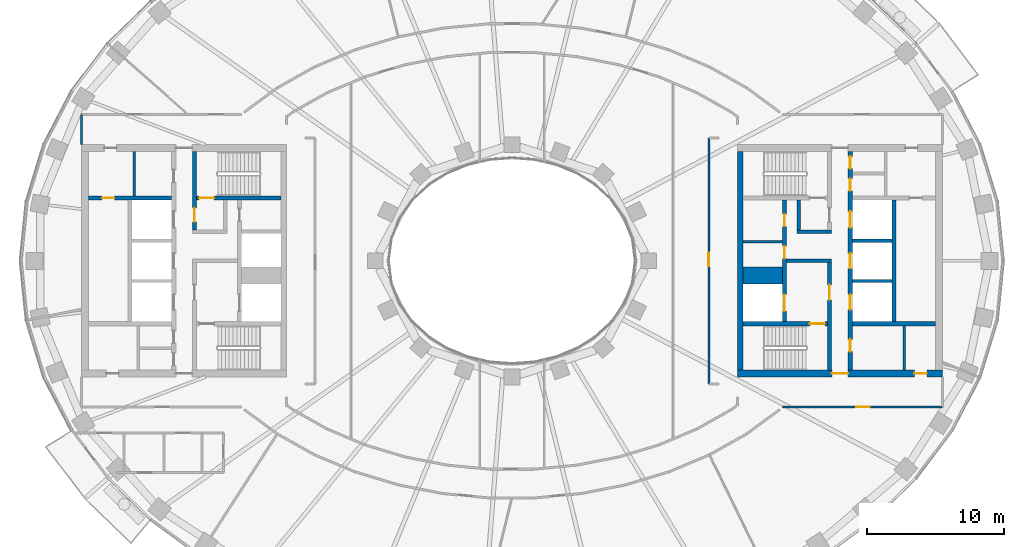
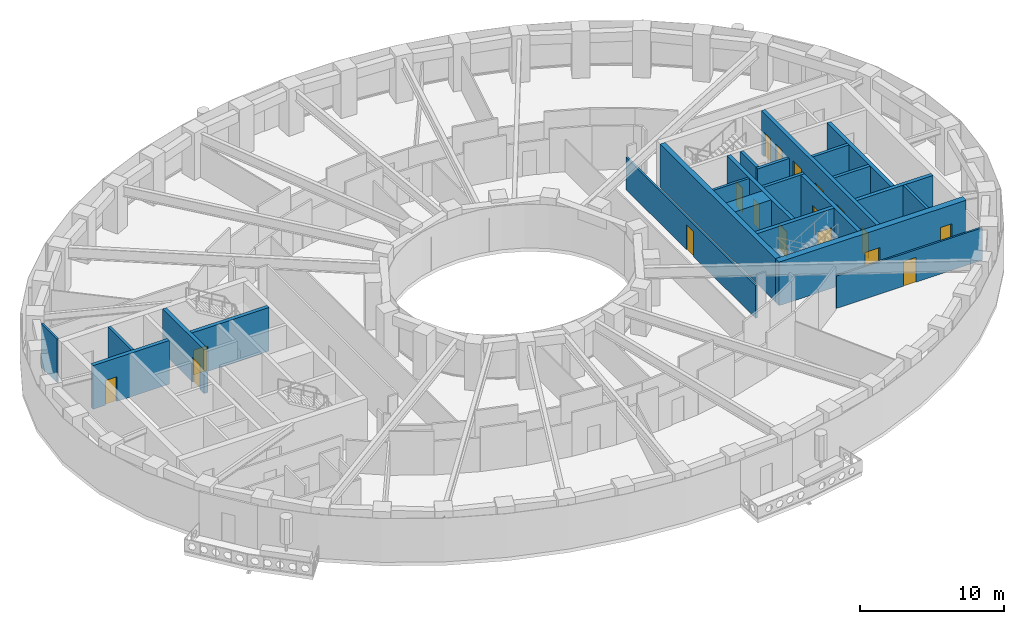
# One storey, part 5 of 16: 23 walls, 18 doors, 18 openings.
"""IFC4 building model written with IfcOpenShell, lengths in metres."""

from ifc_helpers import new_model, si_unit, direction, frame, frame_2d, origin, place, context, subcontext, project, spatial, rectangle, extrude, material, layer, layer_set, type_object, element, fill, save


model = new_model("IFC4")

# Units and contexts
model_context = context("Model", 3, precision=1e-05, world=origin(), true_north=direction((0.0, 1.0)))
body_context = subcontext(model_context, "Body", "Model", "MODEL_VIEW")
ifc_project = project(units=[si_unit("LENGTHUNIT", "METRE"), si_unit("AREAUNIT", "SQUARE_METRE"), si_unit("VOLUMEUNIT", "CUBIC_METRE"), si_unit("PLANEANGLEUNIT", "RADIAN"), si_unit("MASSUNIT", "GRAM", prefix="KILO")], contexts=[model_context])

# Site, building, storey
site_placement = place(None, origin())
site = spatial("IfcSite", under=ifc_project, at=site_placement, CompositionType="ELEMENT")
building_placement = place(site_placement, origin())
building = spatial("IfcBuilding", under=site, at=building_placement, Name="Noorbagh Ring Tower", CompositionType="ELEMENT")
storey_placement = place(building_placement, frame((0.0, 0.0, 132.0)))
storey = spatial("IfcBuildingStorey", under=building, at=storey_placement, Name="L30", CompositionType="ELEMENT", Elevation=132.0)

# Walls
ifc_material_1 = material(Name="Gypsum board on steel studs", Category="steel")
ifc_layer_1 = layer(ifc_material_1, 0.199951171875)
ifc_layer_set_1 = layer_set([ifc_layer_1], Name="Gypsum board on steel studs")
wall_type_1 = type_object("IfcWallType", Name="CORE-PARTITION-200", PredefinedType="PARTITIONING", material=ifc_layer_set_1)
wall_1_placement = place(storey_placement, frame((-27.64990234375, 4.75, 0.0), z_axis=(0.0, 0.0, 1.0), x_axis=(0.0, 1.0, 0.0)))
element("IfcWall", 1, at=wall_1_placement, inside=storey, type_object=wall_type_1, Name="Core partition W", PredefinedType="PARTITIONING", context=body_context, shape_type="SweptSolid", body=[
    extrude(rectangle(XDim=3.25, YDim=0.199951171875, at=frame_2d((1.625, 0.0))), origin(), (0.0, 0.0, 1.0), 3.699951171875),
])
wall_2_placement = place(storey_placement, frame((16.89990234375, 1.39990234375, 0.0), z_axis=(0.0, 0.0, 1.0), x_axis=(1.0, 0.0, 0.0)))
element("IfcWall", 2, at=wall_2_placement, inside=storey, type_object=wall_type_1, Name="Core partition E", PredefinedType="PARTITIONING", context=body_context, shape_type="SweptSolid", body=[
    extrude(rectangle(XDim=2.900146484375, YDim=0.199951171875, at=frame_2d((1.4501953125, 0.0))), origin(), (0.0, 0.0, 1.0), 3.699951171875),
])
wall_3_placement = place(storey_placement, frame((28.699951171875, -8.0, 0.0), z_axis=(0.0, 0.0, 1.0), x_axis=(0.0, 1.0, 0.0)))
element("IfcWall", 3, at=wall_3_placement, inside=storey, type_object=wall_type_1, Name="Core partition E", PredefinedType="PARTITIONING", context=body_context, shape_type="SweptSolid", body=[
    extrude(rectangle(XDim=3.25, YDim=0.199951171875, at=frame_2d((1.625, 0.0))), origin(), (0.0, 0.0, 1.0), 3.699951171875),
])
ifc_material_2 = material(Name="Concrete C70/85", Category="concrete")
ifc_layer_2 = layer(ifc_material_2, 1.25)
ifc_layer_set_2 = layer_set([ifc_layer_2], Name="Concrete C70/85")
wall_type_2 = type_object("IfcWallType", Name="CORE-WALL-1250-C70-85-EI120", PredefinedType="SHEAR", material=ifc_layer_set_2)
wall_4_placement = place(storey_placement, frame((16.89990234375, -1.074951171875, 0.0), z_axis=(0.0, 0.0, 1.0), x_axis=(1.0, 0.0, 0.0)))
element("IfcWall", 4, at=wall_4_placement, inside=storey, type_object=wall_type_2, Name="Core wall E", PredefinedType="SHEAR", context=body_context, shape_type="SweptSolid", body=[
    extrude(rectangle(XDim=2.900146484375, YDim=1.25, at=frame_2d((1.4501953125, 0.0))), origin(), (0.0, 0.0, 1.0), 3.699951171875),
])
ifc_material_3 = material(Name="Concrete C70/85", Category="concrete")
ifc_layer_3 = layer(ifc_material_3, 0.25)
ifc_layer_set_3 = layer_set([ifc_layer_3], Name="Concrete C70/85")
wall_type_3 = type_object("IfcWallType", Name="CORE-WALL-250-C70-85-EI120", PredefinedType="SHEAR", material=ifc_layer_set_3)
for number, where, z_axis, x_axis, name in (
    (5, (24.89990234375, -1.47509765625, 0.0), (0.0, 0.0, 1.0), (1.0, 0.0, 0.0), "Core wall E"),
    (6, (24.89990234375, 1.47509765625, 0.0), (0.0, 0.0, 1.0), (1.0, 0.0, 0.0), "Core wall E"),
):
    element("IfcWall", number, at=place(storey_placement, frame(where, z_axis=z_axis, x_axis=x_axis)), inside=storey, type_object=wall_type_3, Name=name, PredefinedType="SHEAR", context=body_context, shape_type="SweptSolid", body=[
        extrude(rectangle(XDim=2.900146484375, YDim=0.25, at=frame_2d((1.4501953125, 0.0))), origin(), (0.0, 0.0, 1.0), 3.699951171875),
    ])
ifc_material_4 = material(Name="Concrete C70/85", Category="concrete")
ifc_layer_4 = layer(ifc_material_4, 0.25)
ifc_layer_set_4 = layer_set([ifc_layer_4], Name="Concrete C70/85")
wall_type_4 = type_object("IfcWallType", Name="CORE-WALL-250-C70-85-EI240", PredefinedType="SHEAR", material=ifc_layer_set_4)
wall_5_placement = place(storey_placement, frame((20.10009765625, 0.0, 0.0), z_axis=(0.0, 0.0, 1.0), x_axis=(1.0, 0.0, 0.0)))
element("IfcWall", 7, at=wall_5_placement, inside=storey, type_object=wall_type_4, Name="Core wall E", PredefinedType="SHEAR", context=body_context, shape_type="SweptSolid", body=[
    extrude(rectangle(XDim=3.27978515625, YDim=0.25, at=frame_2d((1.639892578125, 0.0))), origin(), (0.0, 0.0, 1.0), 3.699951171875),
])
wall_6_placement = place(storey_placement, frame((20.85009765625, 2.125, 0.0), z_axis=(0.0, 0.0, 1.0), x_axis=(1.0, 0.0, 0.0)))
element("IfcWall", 8, at=wall_6_placement, inside=storey, type_object=wall_type_4, Name="Core wall E", PredefinedType="SHEAR", context=body_context, shape_type="SweptSolid", body=[
    extrude(rectangle(XDim=2.52978515625, YDim=0.25, at=frame_2d((1.264892578125, 0.0))), origin(), (0.0, 0.0, 1.0), 3.699951171875),
])
wall_7_placement = place(storey_placement, frame((20.97509765625, 2.25, 0.0), z_axis=(0.0, 0.0, 1.0), x_axis=(0.0, 1.0, 0.0)))
element("IfcWall", 9, at=wall_7_placement, inside=storey, type_object=wall_type_4, Name="Core wall E", PredefinedType="SHEAR", context=body_context, shape_type="SweptSolid", body=[
    extrude(rectangle(XDim=2.199951171875, YDim=0.25, at=frame_2d((1.10009765625, 0.0))), origin(), (0.0, 0.0, 1.0), 3.699951171875),
])
ifc_material_5 = material(Name="Concrete C70/85", Category="concrete")
ifc_layer_5 = layer(ifc_material_5, 0.300048828125)
ifc_layer_set_5 = layer_set([ifc_layer_5], Name="Concrete C70/85")
wall_type_5 = type_object("IfcWallType", Name="CORE-WALL-300-C70-85-EI120", PredefinedType="SHEAR", material=ifc_layer_set_5)
wall_8_placement = place(storey_placement, frame((27.949951171875, -4.449951171875, 0.0), z_axis=(0.0, 0.0, 1.0), x_axis=(0.0, 1.0, 0.0)))
element("IfcWall", 10, at=wall_8_placement, inside=storey, type_object=wall_type_5, Name="Core wall E", PredefinedType="SHEAR", context=body_context, shape_type="SweptSolid", body=[
    extrude(rectangle(XDim=8.89990234375, YDim=0.300048828125, at=frame_2d((4.449951171875, 0.0))), origin(), (0.0, 0.0, 1.0), 3.699951171875),
])

# Wall, openings, doors
wall_9_placement = place(storey_placement, frame((19.949951171875, -4.449951171875, 0.0), z_axis=(0.0, 0.0, 1.0), x_axis=(0.0, 1.0, 0.0)))
wall_9 = element("IfcWall", 11, at=wall_9_placement, inside=storey, type_object=wall_type_5, Name="Core wall E", PredefinedType="SHEAR", context=body_context, shape_type="SweptSolid", body=[
    extrude(rectangle(XDim=8.89990234375, YDim=0.300048828125, at=frame_2d((4.449951171875, 0.0))), origin(), (0.0, 0.0, 1.0), 3.699951171875),
])
opening_1_placement = place(wall_9_placement, frame((0.77490234375, 0.0, 0.0)))
opening_1 = element("IfcOpeningElement", 12, at=opening_1_placement, cuts=wall_9, Name="Opening L30-CE01", PredefinedType="OPENING", context=body_context, shape_type="SweptSolid", body=[
    extrude(rectangle(XDim=1.199951171875, YDim=2.10009765625, at=frame_2d((0.60009765625, 1.050048828125))), frame((0.0, 0.16015625, 0.0), z_axis=(0.0, -1.0, 0.0), x_axis=(1.0, 0.0, 0.0)), (0.0, 0.0, 1.0), 0.320068359375),
])
opening_2_placement = place(wall_9_placement, frame((4.6201171875, 0.0, 0.0)))
opening_2 = element("IfcOpeningElement", 13, at=opening_2_placement, cuts=wall_9, Name="Opening L30-CE11", PredefinedType="OPENING", context=body_context, shape_type="SweptSolid", body=[
    extrude(rectangle(XDim=0.89990234375, YDim=2.10009765625, at=frame_2d((0.449951171875, 1.050048828125))), frame((0.0, 0.16015625, 0.0), z_axis=(0.0, -1.0, 0.0), x_axis=(1.0, 0.0, 0.0)), (0.0, 0.0, 1.0), 0.320068359375),
])
opening_3_placement = place(wall_9_placement, frame((6.97509765625, 0.0, 0.0)))
opening_3 = element("IfcOpeningElement", 14, at=opening_3_placement, cuts=wall_9, Name="Opening L30-CE12", PredefinedType="OPENING", context=body_context, shape_type="SweptSolid", body=[
    extrude(rectangle(XDim=0.89990234375, YDim=2.10009765625, at=frame_2d((0.449951171875, 1.050048828125))), frame((0.0, 0.16015625, 0.0), z_axis=(0.0, -1.0, 0.0), x_axis=(1.0, 0.0, 0.0)), (0.0, 0.0, 1.0), 0.320068359375),
])
ifc_material_6 = material(Name="Steel door leaf", Category="steel")
door_type_1 = type_object("IfcDoorType", Name="CORE-DOOR-DROOM", OperationType="SINGLE_SWING_LEFT", PredefinedType="DOOR", material=ifc_material_6)
door_1_placement = place(opening_2_placement, origin())
door_1 = element("IfcDoor", 15, at=door_1_placement, inside=storey, type_object=door_type_1, Name="Core room door L30-CE11", OperationType="SINGLE_SWING_LEFT", OverallHeight=2.10009765625, OverallWidth=0.89990234375, PredefinedType="DOOR", context=body_context, shape_type="SweptSolid", body=[
    extrude(rectangle(XDim=0.89990234375, YDim=2.10009765625, at=frame_2d((0.449951171875, 1.050048828125))), frame((0.0, 0.02490234375, 0.0), z_axis=(0.0, -1.0, 0.0), x_axis=(1.0, 0.0, 0.0)), (0.0, 0.0, 1.0), 0.050048828125),
])
fill(opening_2, door_1)
door_2_placement = place(opening_3_placement, origin())
door_2 = element("IfcDoor", 16, at=door_2_placement, inside=storey, type_object=door_type_1, Name="Core room door L30-CE12", OperationType="SINGLE_SWING_RIGHT", OverallHeight=2.10009765625, OverallWidth=0.89990234375, PredefinedType="DOOR", context=body_context, shape_type="SweptSolid", body=[
    extrude(rectangle(XDim=0.89990234375, YDim=2.10009765625, at=frame_2d((0.449951171875, 1.050048828125))), frame((0.0, 0.02490234375, 0.0), z_axis=(0.0, -1.0, 0.0), x_axis=(1.0, 0.0, 0.0)), (0.0, 0.0, 1.0), 0.050048828125),
])
fill(opening_3, door_2)
ifc_material_7 = material(Name="Steel door leaf", Category="steel")
door_type_2 = type_object("IfcDoorType", Name="CORE-DOOR-LDW", OperationType="DOUBLE_DOOR_SLIDING", PredefinedType="DOOR", material=ifc_material_7)
door_3_placement = place(opening_1_placement, origin())
door_3 = element("IfcDoor", 17, at=door_3_placement, inside=storey, type_object=door_type_2, Name="Landing door FF2 L30-CE01", OperationType="DOUBLE_DOOR_SLIDING", OverallHeight=2.10009765625, OverallWidth=1.199951171875, PredefinedType="DOOR", context=body_context, shape_type="SweptSolid", body=[
    extrude(rectangle(XDim=1.199951171875, YDim=2.10009765625, at=frame_2d((0.60009765625, 1.050048828125))), frame((0.0, 0.02490234375, 0.0), z_axis=(0.0, -1.0, 0.0), x_axis=(1.0, 0.0, 0.0)), (0.0, 0.0, 1.0), 0.050048828125),
])
fill(opening_1, door_3)

wall_10_placement = place(storey_placement, frame((24.75, -8.0, 0.0), z_axis=(0.0, 0.0, 1.0), x_axis=(0.0, 1.0, 0.0)))
wall_10 = element("IfcWall", 18, at=wall_10_placement, inside=storey, type_object=wall_type_5, Name="Core wall E", PredefinedType="SHEAR", context=body_context, shape_type="SweptSolid", body=[
    extrude(rectangle(XDim=16.0, YDim=0.300048828125, at=frame_2d((8.0, 0.0))), origin(), (0.0, 0.0, 1.0), 3.699951171875),
])
opening_4_placement = place(wall_10_placement, frame((4.425048828125, 0.0, 0.0)))
opening_4 = element("IfcOpeningElement", 19, at=opening_4_placement, cuts=wall_10, Name="Opening L30-CE02", PredefinedType="OPENING", context=body_context, shape_type="SweptSolid", body=[
    extrude(rectangle(XDim=1.10009765625, YDim=2.10009765625, at=frame_2d((0.550048828125, 1.050048828125))), frame((0.0, 0.16015625, 0.0), z_axis=(0.0, -1.0, 0.0), x_axis=(1.0, 0.0, 0.0)), (0.0, 0.0, 1.0), 0.320068359375),
])
opening_5_placement = place(wall_10_placement, frame((7.449951171875, 0.0, 0.0)))
opening_5 = element("IfcOpeningElement", 20, at=opening_5_placement, cuts=wall_10, Name="Opening L30-CE03", PredefinedType="OPENING", context=body_context, shape_type="SweptSolid", body=[
    extrude(rectangle(XDim=1.10009765625, YDim=2.10009765625, at=frame_2d((0.550048828125, 1.050048828125))), frame((0.0, 0.16015625, 0.0), z_axis=(0.0, -1.0, 0.0), x_axis=(1.0, 0.0, 0.0)), (0.0, 0.0, 1.0), 0.320068359375),
])
opening_6_placement = place(wall_10_placement, frame((10.425048828125, 0.0, 0.0)))
opening_6 = element("IfcOpeningElement", 21, at=opening_6_placement, cuts=wall_10, Name="Opening L30-CE04", PredefinedType="OPENING", context=body_context, shape_type="SweptSolid", body=[
    extrude(rectangle(XDim=1.199951171875, YDim=2.10009765625, at=frame_2d((0.60009765625, 1.050048828125))), frame((0.0, 0.16015625, 0.0), z_axis=(0.0, -1.0, 0.0), x_axis=(1.0, 0.0, 0.0)), (0.0, 0.0, 1.0), 0.320068359375),
])
opening_7_placement = place(wall_10_placement, frame((13.125, 0.0, 0.0)))
opening_7 = element("IfcOpeningElement", 22, at=opening_7_placement, cuts=wall_10, Name="Opening L30-CE13", PredefinedType="OPENING", context=body_context, shape_type="SweptSolid", body=[
    extrude(rectangle(XDim=0.89990234375, YDim=2.10009765625, at=frame_2d((0.449951171875, 1.050048828125))), frame((0.0, 0.16015625, 0.0), z_axis=(0.0, -1.0, 0.0), x_axis=(1.0, 0.0, 0.0)), (0.0, 0.0, 1.0), 0.320068359375),
])
opening_8_placement = place(wall_10_placement, frame((14.75, 0.0, 0.0)))
opening_8 = element("IfcOpeningElement", 23, at=opening_8_placement, cuts=wall_10, Name="Opening L30-CE14", PredefinedType="OPENING", context=body_context, shape_type="SweptSolid", body=[
    extrude(rectangle(XDim=0.89990234375, YDim=2.10009765625, at=frame_2d((0.449951171875, 1.050048828125))), frame((0.0, 0.16015625, 0.0), z_axis=(0.0, -1.0, 0.0), x_axis=(1.0, 0.0, 0.0)), (0.0, 0.0, 1.0), 0.320068359375),
])
opening_9_placement = place(wall_10_placement, frame((1.35009765625, 0.0, 0.0)))
opening_9 = element("IfcOpeningElement", 24, at=opening_9_placement, cuts=wall_10, Name="Opening L30-CE16", PredefinedType="OPENING", context=body_context, shape_type="SweptSolid", body=[
    extrude(rectangle(XDim=0.89990234375, YDim=2.10009765625, at=frame_2d((0.449951171875, 1.050048828125))), frame((0.0, 0.16015625, 0.0), z_axis=(0.0, -1.0, 0.0), x_axis=(1.0, 0.0, 0.0)), (0.0, 0.0, 1.0), 0.320068359375),
])
door_4_placement = place(opening_7_placement, origin())
door_4 = element("IfcDoor", 25, at=door_4_placement, inside=storey, type_object=door_type_1, Name="Core room door L30-CE13", OperationType="SINGLE_SWING_RIGHT", OverallHeight=2.10009765625, OverallWidth=0.89990234375, PredefinedType="DOOR", context=body_context, shape_type="SweptSolid", body=[
    extrude(rectangle(XDim=0.89990234375, YDim=2.10009765625, at=frame_2d((0.449951171875, 1.050048828125))), frame((0.0, 0.02490234375, 0.0), z_axis=(0.0, -1.0, 0.0), x_axis=(1.0, 0.0, 0.0)), (0.0, 0.0, 1.0), 0.050048828125),
])
fill(opening_7, door_4)
door_5_placement = place(opening_8_placement, origin())
door_5 = element("IfcDoor", 26, at=door_5_placement, inside=storey, type_object=door_type_1, Name="Core room door L30-CE14", OperationType="SINGLE_SWING_LEFT", OverallHeight=2.10009765625, OverallWidth=0.89990234375, PredefinedType="DOOR", context=body_context, shape_type="SweptSolid", body=[
    extrude(rectangle(XDim=0.89990234375, YDim=2.10009765625, at=frame_2d((0.449951171875, 1.050048828125))), frame((0.0, 0.02490234375, 0.0), z_axis=(0.0, -1.0, 0.0), x_axis=(1.0, 0.0, 0.0)), (0.0, 0.0, 1.0), 0.050048828125),
])
fill(opening_8, door_5)
door_6_placement = place(opening_9_placement, origin())
door_6 = element("IfcDoor", 27, at=door_6_placement, inside=storey, type_object=door_type_1, Name="Core room door L30-CE16", OperationType="SINGLE_SWING_RIGHT", OverallHeight=2.10009765625, OverallWidth=0.89990234375, PredefinedType="DOOR", context=body_context, shape_type="SweptSolid", body=[
    extrude(rectangle(XDim=0.89990234375, YDim=2.10009765625, at=frame_2d((0.449951171875, 1.050048828125))), frame((0.0, 0.02490234375, 0.0), z_axis=(0.0, -1.0, 0.0), x_axis=(1.0, 0.0, 0.0)), (0.0, 0.0, 1.0), 0.050048828125),
])
fill(opening_9, door_6)
ifc_material_8 = material(Name="Steel door leaf", Category="steel")
door_type_3 = type_object("IfcDoorType", Name="CORE-DOOR-LD", OperationType="DOUBLE_DOOR_SLIDING", PredefinedType="DOOR", material=ifc_material_8)
door_7_placement = place(opening_4_placement, origin())
door_7 = element("IfcDoor", 28, at=door_7_placement, inside=storey, type_object=door_type_3, Name="Landing door LR3 L30-CE02", OperationType="DOUBLE_DOOR_SLIDING", OverallHeight=2.10009765625, OverallWidth=1.10009765625, PredefinedType="DOOR", context=body_context, shape_type="SweptSolid", body=[
    extrude(rectangle(XDim=1.10009765625, YDim=2.10009765625, at=frame_2d((0.550048828125, 1.050048828125))), frame((0.0, 0.02490234375, 0.0), z_axis=(0.0, -1.0, 0.0), x_axis=(1.0, 0.0, 0.0)), (0.0, 0.0, 1.0), 0.050048828125),
])
fill(opening_4, door_7)
door_8_placement = place(opening_5_placement, origin())
door_8 = element("IfcDoor", 29, at=door_8_placement, inside=storey, type_object=door_type_3, Name="Landing door LR4 L30-CE03", OperationType="DOUBLE_DOOR_SLIDING", OverallHeight=2.10009765625, OverallWidth=1.10009765625, PredefinedType="DOOR", context=body_context, shape_type="SweptSolid", body=[
    extrude(rectangle(XDim=1.10009765625, YDim=2.10009765625, at=frame_2d((0.550048828125, 1.050048828125))), frame((0.0, 0.02490234375, 0.0), z_axis=(0.0, -1.0, 0.0), x_axis=(1.0, 0.0, 0.0)), (0.0, 0.0, 1.0), 0.050048828125),
])
fill(opening_5, door_8)
door_9_placement = place(opening_6_placement, origin())
door_9 = element("IfcDoor", 30, at=door_9_placement, inside=storey, type_object=door_type_2, Name="Landing door SV2 L30-CE04", OperationType="DOUBLE_DOOR_SLIDING", OverallHeight=2.10009765625, OverallWidth=1.199951171875, PredefinedType="DOOR", context=body_context, shape_type="SweptSolid", body=[
    extrude(rectangle(XDim=1.199951171875, YDim=2.10009765625, at=frame_2d((0.60009765625, 1.050048828125))), frame((0.0, 0.02490234375, 0.0), z_axis=(0.0, -1.0, 0.0), x_axis=(1.0, 0.0, 0.0)), (0.0, 0.0, 1.0), 0.050048828125),
])
fill(opening_6, door_9)

# Wall, opening, door
ifc_material_9 = material(Name="Concrete C70/85", Category="concrete")
ifc_layer_6 = layer(ifc_material_9, 0.300048828125)
ifc_layer_set_6 = layer_set([ifc_layer_6], Name="Concrete C70/85")
wall_type_6 = type_object("IfcWallType", Name="CORE-WALL-300-C70-85-EI240", PredefinedType="SHEAR", material=ifc_layer_set_6)
wall_11_placement = place(storey_placement, frame((-24.89990234375, 4.60009765625, 0.0), z_axis=(0.0, 0.0, 1.0), x_axis=(-1.0, 0.0, 0.0)))
wall_11 = element("IfcWall", 31, at=wall_11_placement, inside=storey, type_object=wall_type_6, Name="Core wall W", PredefinedType="SHEAR", context=body_context, shape_type="SweptSolid", body=[
    extrude(rectangle(XDim=6.10009765625, YDim=0.300048828125, at=frame_2d((3.050048828125, 0.0))), origin(), (0.0, 0.0, 1.0), 3.699951171875),
])
opening_10_placement = place(wall_11_placement, frame((4.199951171875, 0.0, 0.0)))
opening_10 = element("IfcOpeningElement", 32, at=opening_10_placement, cuts=wall_11, Name="Opening L30-CW17", PredefinedType="OPENING", context=body_context, shape_type="SweptSolid", body=[
    extrude(rectangle(XDim=0.89990234375, YDim=2.10009765625, at=frame_2d((0.449951171875, 1.050048828125))), frame((0.0, 0.16015625, 0.0), z_axis=(0.0, -1.0, 0.0), x_axis=(1.0, 0.0, 0.0)), (0.0, 0.0, 1.0), 0.320068359375),
])
door_10_placement = place(opening_10_placement, origin())
door_10 = element("IfcDoor", 33, at=door_10_placement, inside=storey, type_object=door_type_1, Name="Core room door L30-CW17", OperationType="SINGLE_SWING_LEFT", OverallHeight=2.10009765625, OverallWidth=0.89990234375, PredefinedType="DOOR", context=body_context, shape_type="SweptSolid", body=[
    extrude(rectangle(XDim=0.89990234375, YDim=2.10009765625, at=frame_2d((0.449951171875, 1.050048828125))), frame((0.0, 0.02490234375, 0.0), z_axis=(0.0, -1.0, 0.0), x_axis=(1.0, 0.0, 0.0)), (0.0, 0.0, 1.0), 0.050048828125),
])
fill(opening_10, door_10)

wall_12_placement = place(storey_placement, frame((-23.22998046875, 2.25, 0.0), z_axis=(0.0, 0.0, 1.0), x_axis=(0.0, 1.0, 0.0)))
wall_12 = element("IfcWall", 34, at=wall_12_placement, inside=storey, type_object=wall_type_6, Name="Core wall W", PredefinedType="SHEAR", context=body_context, shape_type="SweptSolid", body=[
    extrude(rectangle(XDim=5.75, YDim=0.300048828125, at=frame_2d((2.875, 0.0))), origin(), (0.0, 0.0, 1.0), 3.699951171875),
])
opening_11_placement = place(wall_12_placement, frame((0.60009765625, 0.0, 0.0)))
opening_11 = element("IfcOpeningElement", 35, at=opening_11_placement, cuts=wall_12, Name="Opening L30-CW08", PredefinedType="OPENING", context=body_context, shape_type="SweptSolid", body=[
    extrude(rectangle(XDim=1.0, YDim=2.10009765625, at=frame_2d((0.5, 1.050048828125))), frame((0.0, 0.16015625, 0.0), z_axis=(0.0, -1.0, 0.0), x_axis=(1.0, 0.0, 0.0)), (0.0, 0.0, 1.0), 0.320068359375),
])
ifc_material_10 = material(Name="Steel door leaf", Category="steel")
door_type_4 = type_object("IfcDoorType", Name="CORE-DOOR-DVEST", OperationType="SINGLE_SWING_LEFT", PredefinedType="DOOR", material=ifc_material_10)
door_11_placement = place(opening_11_placement, origin())
door_11 = element("IfcDoor", 36, at=door_11_placement, inside=storey, type_object=door_type_4, Name="Stair vestibule door L30-CW08", OperationType="SINGLE_SWING_LEFT", OverallHeight=2.10009765625, OverallWidth=1.0, PredefinedType="DOOR", context=body_context, shape_type="SweptSolid", body=[
    extrude(rectangle(XDim=1.0, YDim=2.10009765625, at=frame_2d((0.5, 1.050048828125))), frame((0.0, 0.02490234375, 0.0), z_axis=(0.0, -1.0, 0.0), x_axis=(1.0, 0.0, 0.0)), (0.0, 0.0, 1.0), 0.050048828125),
])
fill(opening_11, door_11)

wall_13_placement = place(storey_placement, frame((-16.89990234375, 4.60009765625, 0.0), z_axis=(0.0, 0.0, 1.0), x_axis=(-1.0, 0.0, 0.0)))
wall_13 = element("IfcWall", 37, at=wall_13_placement, inside=storey, type_object=wall_type_6, Name="Core wall W", PredefinedType="SHEAR", context=body_context, shape_type="SweptSolid", body=[
    extrude(rectangle(XDim=6.18017578125, YDim=0.300048828125, at=frame_2d((3.090087890625, 0.0))), origin(), (0.0, 0.0, 1.0), 3.699951171875),
])
opening_12_placement = place(wall_13_placement, frame((4.89990234375, 0.0, 0.0)))
opening_12 = element("IfcOpeningElement", 38, at=opening_12_placement, cuts=wall_13, Name="Opening L30-CW05", PredefinedType="OPENING", context=body_context, shape_type="SweptSolid", body=[
    extrude(rectangle(XDim=1.10009765625, YDim=2.10009765625, at=frame_2d((0.550048828125, 1.050048828125))), frame((0.0, 0.16015625, 0.0), z_axis=(0.0, -1.0, 0.0), x_axis=(1.0, 0.0, 0.0)), (0.0, 0.0, 1.0), 0.320068359375),
])
ifc_material_11 = material(Name="Steel door leaf", Category="steel")
door_type_5 = type_object("IfcDoorType", Name="CORE-DOOR-DSTAIR", OperationType="SINGLE_SWING_LEFT", PredefinedType="DOOR", material=ifc_material_11)
door_12_placement = place(opening_12_placement, origin())
door_12 = element("IfcDoor", 39, at=door_12_placement, inside=storey, type_object=door_type_5, Name="Stair door ST1 L30-CW05", OperationType="SINGLE_SWING_RIGHT", OverallHeight=2.10009765625, OverallWidth=1.10009765625, PredefinedType="DOOR", context=body_context, shape_type="SweptSolid", body=[
    extrude(rectangle(XDim=1.10009765625, YDim=2.10009765625, at=frame_2d((0.550048828125, 1.050048828125))), frame((0.0, 0.02490234375, 0.0), z_axis=(0.0, -1.0, 0.0), x_axis=(1.0, 0.0, 0.0)), (0.0, 0.0, 1.0), 0.050048828125),
])
fill(opening_12, door_12)

# Wall
wall_14_placement = place(storey_placement, frame((24.89990234375, -4.60009765625, 0.0), z_axis=(0.0, 0.0, 1.0), x_axis=(1.0, 0.0, 0.0)))
element("IfcWall", 40, at=wall_14_placement, inside=storey, type_object=wall_type_6, Name="Core wall E", PredefinedType="SHEAR", context=body_context, shape_type="SweptSolid", body=[
    extrude(rectangle(XDim=6.10009765625, YDim=0.300048828125, at=frame_2d((3.050048828125, 0.0))), origin(), (0.0, 0.0, 1.0), 3.699951171875),
])

# Wall, opening, door
wall_15_placement = place(storey_placement, frame((23.22998046875, -8.0, 0.0), z_axis=(0.0, 0.0, 1.0), x_axis=(0.0, 1.0, 0.0)))
wall_15 = element("IfcWall", 41, at=wall_15_placement, inside=storey, type_object=wall_type_6, Name="Core wall E", PredefinedType="SHEAR", context=body_context, shape_type="SweptSolid", body=[
    extrude(rectangle(XDim=7.875, YDim=0.300048828125, at=frame_2d((3.9375, 0.0))), origin(), (0.0, 0.0, 1.0), 3.699951171875),
])
opening_13_placement = place(wall_15_placement, frame((5.14990234375, 0.0, 0.0)))
opening_13 = element("IfcOpeningElement", 42, at=opening_13_placement, cuts=wall_15, Name="Opening L30-CE07", PredefinedType="OPENING", context=body_context, shape_type="SweptSolid", body=[
    extrude(rectangle(XDim=1.10009765625, YDim=2.10009765625, at=frame_2d((0.550048828125, 1.050048828125))), frame((0.0, 0.16015625, 0.0), z_axis=(0.0, -1.0, 0.0), x_axis=(1.0, 0.0, 0.0)), (0.0, 0.0, 1.0), 0.320068359375),
])
ifc_material_12 = material(Name="Steel door leaf", Category="steel")
door_type_6 = type_object("IfcDoorType", Name="CORE-DOOR-DFF", OperationType="SINGLE_SWING_LEFT", PredefinedType="DOOR", material=ifc_material_12)
door_13_placement = place(opening_13_placement, origin())
door_13 = element("IfcDoor", 43, at=door_13_placement, inside=storey, type_object=door_type_6, Name="Firefighting lobby door L30-CE07", OperationType="SINGLE_SWING_RIGHT", OverallHeight=2.10009765625, OverallWidth=1.10009765625, PredefinedType="DOOR", context=body_context, shape_type="SweptSolid", body=[
    extrude(rectangle(XDim=1.10009765625, YDim=2.10009765625, at=frame_2d((0.550048828125, 1.050048828125))), frame((0.0, 0.02490234375, 0.0), z_axis=(0.0, -1.0, 0.0), x_axis=(1.0, 0.0, 0.0)), (0.0, 0.0, 1.0), 0.050048828125),
])
fill(opening_13, door_13)

wall_16_placement = place(storey_placement, frame((16.89990234375, -4.60009765625, 0.0), z_axis=(0.0, 0.0, 1.0), x_axis=(1.0, 0.0, 0.0)))
wall_16 = element("IfcWall", 44, at=wall_16_placement, inside=storey, type_object=wall_type_6, Name="Core wall E", PredefinedType="SHEAR", context=body_context, shape_type="SweptSolid", body=[
    extrude(rectangle(XDim=6.18017578125, YDim=0.300048828125, at=frame_2d((3.090087890625, 0.0))), origin(), (0.0, 0.0, 1.0), 3.699951171875),
])
opening_14_placement = place(wall_16_placement, frame((4.89990234375, 0.0, 0.0)))
opening_14 = element("IfcOpeningElement", 45, at=opening_14_placement, cuts=wall_16, Name="Opening L30-CE06", PredefinedType="OPENING", context=body_context, shape_type="SweptSolid", body=[
    extrude(rectangle(XDim=1.10009765625, YDim=2.10009765625, at=frame_2d((0.550048828125, 1.050048828125))), frame((0.0, 0.16015625, 0.0), z_axis=(0.0, -1.0, 0.0), x_axis=(1.0, 0.0, 0.0)), (0.0, 0.0, 1.0), 0.320068359375),
])
door_14_placement = place(opening_14_placement, origin())
door_14 = element("IfcDoor", 46, at=door_14_placement, inside=storey, type_object=door_type_5, Name="Stair door ST4 L30-CE06", OperationType="SINGLE_SWING_RIGHT", OverallHeight=2.10009765625, OverallWidth=1.10009765625, PredefinedType="DOOR", context=body_context, shape_type="SweptSolid", body=[
    extrude(rectangle(XDim=1.10009765625, YDim=2.10009765625, at=frame_2d((0.550048828125, 1.050048828125))), frame((0.0, 0.02490234375, 0.0), z_axis=(0.0, -1.0, 0.0), x_axis=(1.0, 0.0, 0.0)), (0.0, 0.0, 1.0), 0.050048828125),
])
fill(opening_14, door_14)

# Wall
ifc_material_13 = material(Name="Concrete C70/85", Category="concrete")
ifc_layer_7 = layer(ifc_material_13, 0.39990234375)
ifc_layer_set_7 = layer_set([ifc_layer_7], Name="Concrete C70/85")
wall_type_7 = type_object("IfcWallType", Name="CORE-WALL-400-C70-85-EI240", PredefinedType="SHEAR", material=ifc_layer_set_7)
wall_17_placement = place(storey_placement, frame((16.699951171875, -8.0, 0.0), z_axis=(0.0, 0.0, 1.0), x_axis=(0.0, 1.0, 0.0)))
element("IfcWall", 47, at=wall_17_placement, inside=storey, type_object=wall_type_7, Name="Core wall E", PredefinedType="SHEAR", context=body_context, shape_type="SweptSolid", body=[
    extrude(rectangle(XDim=16.0, YDim=0.39990234375, at=frame_2d((8.0, 0.0))), origin(), (0.0, 0.0, 1.0), 3.699951171875),
])

# Wall, openings, doors
ifc_material_14 = material(Name="Concrete C70/85", Category="concrete")
ifc_layer_8 = layer(ifc_material_14, 0.5)
ifc_layer_set_8 = layer_set([ifc_layer_8], Name="Concrete C70/85")
wall_type_8 = type_object("IfcWallType", Name="CORE-WALL-500-C70-85-EI240", PredefinedType="SHEAR", material=ifc_layer_set_8)
wall_18_placement = place(storey_placement, frame((16.5, -8.25, 0.0), z_axis=(0.0, 0.0, 1.0), x_axis=(1.0, 0.0, 0.0)))
wall_18 = element("IfcWall", 48, at=wall_18_placement, inside=storey, type_object=wall_type_8, Name="Core wall E", PredefinedType="SHEAR", context=body_context, shape_type="SweptSolid", body=[
    extrude(rectangle(XDim=15.0, YDim=0.5, at=frame_2d((7.5, 0.0))), origin(), (0.0, 0.0, 1.0), 3.699951171875),
])
opening_15_placement = place(wall_18_placement, frame((6.89990234375, 0.0, 0.0)))
opening_15 = element("IfcOpeningElement", 49, at=opening_15_placement, cuts=wall_18, Name="Opening L30-CE10", PredefinedType="OPENING", context=body_context, shape_type="SweptSolid", body=[
    extrude(rectangle(XDim=1.199951171875, YDim=2.10009765625, at=frame_2d((0.60009765625, 1.050048828125))), frame((0.0, 0.260009765625, 0.0), z_axis=(0.0, -1.0, 0.0), x_axis=(1.0, 0.0, 0.0)), (0.0, 0.0, 1.0), 0.52001953125),
])
opening_16_placement = place(wall_18_placement, frame((12.949951171875, 0.0, 0.0)))
opening_16 = element("IfcOpeningElement", 50, at=opening_16_placement, cuts=wall_18, Name="Opening L30-CE17", PredefinedType="OPENING", context=body_context, shape_type="SweptSolid", body=[
    extrude(rectangle(XDim=0.89990234375, YDim=2.10009765625, at=frame_2d((0.449951171875, 1.050048828125))), frame((0.0, 0.260009765625, 0.0), z_axis=(0.0, -1.0, 0.0), x_axis=(1.0, 0.0, 0.0)), (0.0, 0.0, 1.0), 0.52001953125),
])
door_15_placement = place(opening_16_placement, origin())
door_15 = element("IfcDoor", 51, at=door_15_placement, inside=storey, type_object=door_type_1, Name="Core room door L30-CE17", OperationType="SINGLE_SWING_RIGHT", OverallHeight=2.10009765625, OverallWidth=0.89990234375, PredefinedType="DOOR", context=body_context, shape_type="SweptSolid", body=[
    extrude(rectangle(XDim=0.89990234375, YDim=2.10009765625, at=frame_2d((0.449951171875, 1.050048828125))), frame((0.0, 0.02490234375, 0.0), z_axis=(0.0, -1.0, 0.0), x_axis=(1.0, 0.0, 0.0)), (0.0, 0.0, 1.0), 0.050048828125),
])
fill(opening_16, door_15)
ifc_material_15 = material(Name="Steel door leaf", Category="steel")
door_type_7 = type_object("IfcDoorType", Name="CORE-DOOR-PORT", OperationType="DOUBLE_DOOR_DOUBLE_SWING", PredefinedType="DOOR", material=ifc_material_15)
door_16_placement = place(opening_15_placement, origin())
door_16 = element("IfcDoor", 52, at=door_16_placement, inside=storey, type_object=door_type_7, Name="Core entrance door L30-CE10", OperationType="DOUBLE_DOOR_DOUBLE_SWING", OverallHeight=2.10009765625, OverallWidth=1.199951171875, PredefinedType="DOOR", context=body_context, shape_type="SweptSolid", body=[
    extrude(rectangle(XDim=1.199951171875, YDim=2.10009765625, at=frame_2d((0.60009765625, 1.050048828125))), frame((0.0, 0.02490234375, 0.0), z_axis=(0.0, -1.0, 0.0), x_axis=(1.0, 0.0, 0.0)), (0.0, 0.0, 1.0), 0.050048828125),
])
fill(opening_15, door_16)

# Wall
ifc_material_16 = material(Name="Gypsum board on steel studs", Category="steel")
ifc_layer_9 = layer(ifc_material_16, 0.14990234375)
ifc_layer_set_9 = layer_set([ifc_layer_9], Name="Gypsum board on steel studs")
wall_type_9 = type_object("IfcWallType", Name="CORRIDOR PARTITION 150 EI 30", PredefinedType="PARTITIONING", material=ifc_layer_set_9)
wall_19_placement = place(storey_placement, frame((-31.5, 8.5, 0.0), z_axis=(0.0, 0.0, 1.0), x_axis=(0.0, 1.0, 0.0)))
element("IfcWall", 53, at=wall_19_placement, inside=storey, type_object=wall_type_9, Name="L30/wall/P05", PredefinedType="PARTITIONING", context=body_context, shape_type="SweptSolid", body=[
    extrude(rectangle(XDim=2.199951171875, YDim=0.14990234375, at=frame_2d((1.10009765625, 0.0))), origin(), (0.0, 0.0, 1.0), 3.699951171875),
])

# Wall, opening, door
wall_20_placement = place(storey_placement, frame((14.39990234375, -9.0, 0.0), z_axis=(0.0, 0.0, 1.0), x_axis=(0.0, 1.0, 0.0)))
wall_20 = element("IfcWall", 54, at=wall_20_placement, inside=storey, type_object=wall_type_9, Name="L30/wall/P79", PredefinedType="PARTITIONING", context=body_context, shape_type="SweptSolid", body=[
    extrude(rectangle(XDim=18.0, YDim=0.14990234375, at=frame_2d((9.0, 0.0))), origin(), (0.0, 0.0, 1.0), 2.75),
])
opening_17_placement = place(wall_20_placement, frame((8.60009765625, 0.0, 0.0)))
opening_17 = element("IfcOpeningElement", 55, at=opening_17_placement, cuts=wall_20, Name="Opening D1", PredefinedType="OPENING", context=body_context, shape_type="SweptSolid", body=[
    extrude(rectangle(XDim=1.0, YDim=2.10009765625, at=frame_2d((0.5, 1.050048828125))), frame((0.0, 0.0849609375, 0.0), z_axis=(0.0, -1.0, 0.0), x_axis=(1.0, 0.0, 0.0)), (0.0, 0.0, 1.0), 0.169921875),
])
ifc_material_17 = material(Name="Timber, painted", Category="wood")
door_type_8 = type_object("IfcDoorType", Name="DOOR 1000 X 2100 FD30", OperationType="SINGLE_SWING_LEFT", PredefinedType="DOOR", material=ifc_material_17)
door_17_placement = place(opening_17_placement, origin())
door_17 = element("IfcDoor", 56, at=door_17_placement, inside=storey, type_object=door_type_8, Name="L30-D19", OperationType="SINGLE_SWING_LEFT", OverallHeight=2.10009765625, OverallWidth=1.0, PredefinedType="DOOR", context=body_context, shape_type="SweptSolid", body=[
    extrude(rectangle(XDim=1.0, YDim=2.10009765625, at=frame_2d((0.5, 1.050048828125))), frame((0.0, 0.02490234375, 0.0), z_axis=(0.0, -1.0, 0.0), x_axis=(1.0, 0.0, 0.0)), (0.0, 0.0, 1.0), 0.050048828125),
])
fill(opening_17, door_17)

wall_21_placement = place(storey_placement, frame((19.777099609375, -10.699951171875, 0.0), z_axis=(0.0, 0.0, 1.0), x_axis=(1.0, 0.0, 0.0)))
wall_21 = element("IfcWall", 57, at=wall_21_placement, inside=storey, type_object=wall_type_9, Name="L30/wall/P91", PredefinedType="PARTITIONING", context=body_context, shape_type="SweptSolid", body=[
    extrude(rectangle(XDim=11.722900390625, YDim=0.14990234375, at=frame_2d((5.861328125, 0.0))), origin(), (0.0, 0.0, 1.0), 2.75),
])
opening_18_placement = place(wall_21_placement, frame((5.39990234375, 0.0, 0.0)))
opening_18 = element("IfcOpeningElement", 58, at=opening_18_placement, cuts=wall_21, Name="Opening D1", PredefinedType="OPENING", context=body_context, shape_type="SweptSolid", body=[
    extrude(rectangle(XDim=1.0, YDim=2.10009765625, at=frame_2d((0.5, 1.050048828125))), frame((0.0, 0.0849609375, 0.0), z_axis=(0.0, -1.0, 0.0), x_axis=(1.0, 0.0, 0.0)), (0.0, 0.0, 1.0), 0.169921875),
])
door_18_placement = place(opening_18_placement, origin())
door_18 = element("IfcDoor", 59, at=door_18_placement, inside=storey, type_object=door_type_8, Name="L30-D13", OperationType="SINGLE_SWING_LEFT", OverallHeight=2.10009765625, OverallWidth=1.0, PredefinedType="DOOR", context=body_context, shape_type="SweptSolid", body=[
    extrude(rectangle(XDim=1.0, YDim=2.10009765625, at=frame_2d((0.5, 1.050048828125))), frame((0.0, 0.02490234375, 0.0), z_axis=(0.0, -1.0, 0.0), x_axis=(1.0, 0.0, 0.0)), (0.0, 0.0, 1.0), 0.050048828125),
])
fill(opening_18, door_18)

save(model, "model.ifc")
